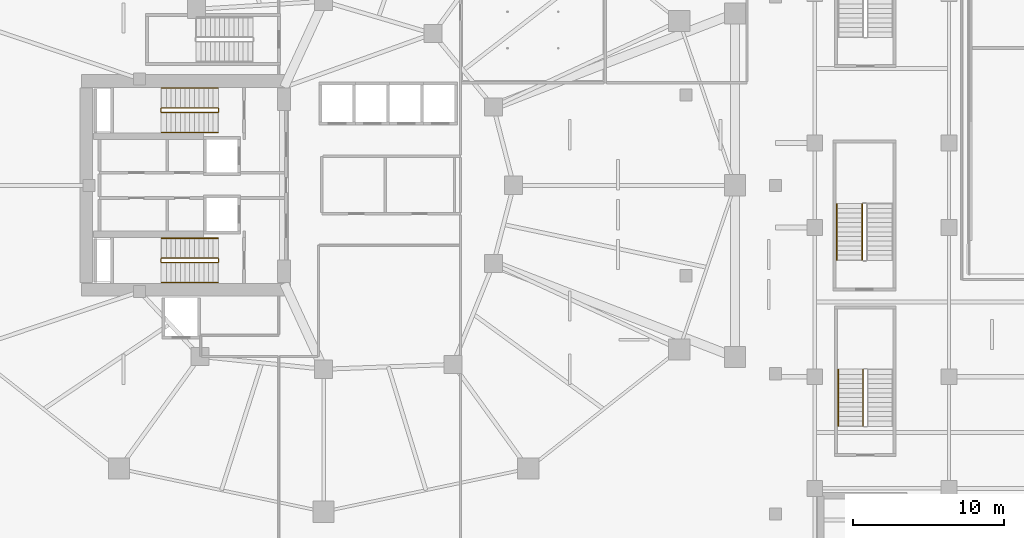
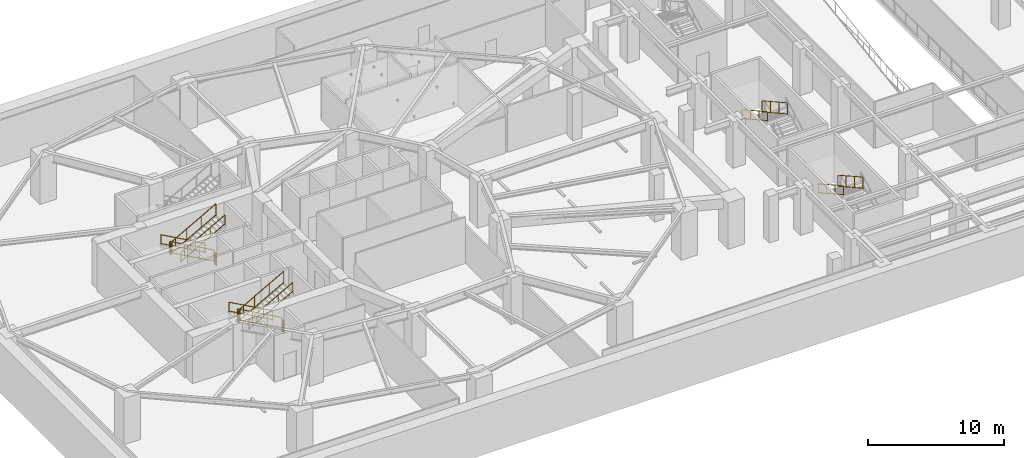
# One storey, part 13 of 16: 16 railings.
"""IFC4 building model written with IfcOpenShell, lengths in metres."""

from ifc_helpers import new_model, si_unit, direction, frame, origin, origin_2d, place, context, subcontext, project, spatial, rectangle, extrude, material, type_object, element, save


model = new_model("IFC4")

# Units and contexts
model_context = context("Model", 3, precision=1e-05, world=origin(), true_north=direction((0.0, 1.0)))
body_context = subcontext(model_context, "Body", "Model", "MODEL_VIEW")
ifc_project = project(units=[si_unit("LENGTHUNIT", "METRE"), si_unit("AREAUNIT", "SQUARE_METRE"), si_unit("VOLUMEUNIT", "CUBIC_METRE"), si_unit("PLANEANGLEUNIT", "RADIAN"), si_unit("MASSUNIT", "GRAM", prefix="KILO")], contexts=[model_context])

# Site, building, storey
site_placement = place(None, origin())
site = spatial("IfcSite", under=ifc_project, at=site_placement, CompositionType="ELEMENT")
building_placement = place(site_placement, origin())
building = spatial("IfcBuilding", under=site, at=building_placement, Name="Kolvaren Gate Tower and Convention Centre", CompositionType="ELEMENT")
storey_placement = place(building_placement, frame((0.0, 0.0, -4.5)))
storey = spatial("IfcBuildingStorey", under=building, at=storey_placement, Name="B1", CompositionType="ELEMENT", Elevation=-4.5)

# Railings
ifc_material = material(Name="Brushed Stainless Steel Grade 316L", Category="steel")
railing_type_1 = type_object("IfcRailingType", Name="ARCH-RL-GUARD-1150", PredefinedType="GUARDRAIL", material=ifc_material)
railing_1_placement = place(storey_placement, frame((23.10009765625, 32.1298828125, 0.173095703125)))
element("IfcRailing", 1, at=railing_1_placement, inside=storey, type_object=railing_type_1, Name="B1 ST-T1 stair guard 1", PredefinedType="GUARDRAIL", context=body_context, shape_type="SweptSolid", body=[
    extrude(rectangle(XDim=0.048095703125, YDim=0.048095703125, at=origin_2d()), frame((0.0, 0.0, 1.076171875), z_axis=(-0.873147225507, 0.0, 0.487456585338), x_axis=(0.0, -1.0, 0.0)), (0.0, 0.0, 1.0), 4.2607421875),
    extrude(rectangle(XDim=0.048095703125, YDim=0.048095703125, at=origin_2d()), frame((0.0, 0.0, 0.083984375), z_axis=(-0.873147225507, 0.0, 0.487456585338), x_axis=(0.0, -1.0, 0.0)), (0.0, 0.0, 1.0), 4.2607421875),
    extrude(rectangle(XDim=0.0419921875, YDim=0.0419921875, at=origin_2d()), origin(), (0.0, 0.0, 1.0), 1.050048828125),
    extrude(rectangle(XDim=0.0419921875, YDim=0.0419921875, at=origin_2d()), frame((-3.72021484375, 0.0, 2.076904296875)), (0.0, 0.0, 1.0), 1.050048828125),
    extrude(rectangle(XDim=0.0419921875, YDim=0.0419921875, at=origin_2d()), frame((-1.239990234375, 0.0, 0.6923828125)), (0.0, 0.0, 1.0), 1.050048828125),
    extrude(rectangle(XDim=0.0419921875, YDim=0.0419921875, at=origin_2d()), frame((-2.480224609375, 0.0, 1.384521484375)), (0.0, 0.0, 1.0), 1.050048828125),
])
railing_2_placement = place(storey_placement, frame((19.330078125, 32.080078125, 2.25)))
element("IfcRailing", 2, at=railing_2_placement, inside=storey, type_object=railing_type_1, Name="B1 ST-T1 stair guard 2", PredefinedType="GUARDRAIL", context=body_context, shape_type="SweptSolid", body=[
    extrude(rectangle(XDim=0.048095703125, YDim=0.048095703125, at=origin_2d()), frame((0.0, 0.0, 1.076171875), z_axis=(0.0, -1.0, 0.0), x_axis=(1.0, 0.0, 0.0)), (0.0, 0.0, 1.0), 0.2001953125),
    extrude(rectangle(XDim=0.048095703125, YDim=0.048095703125, at=origin_2d()), frame((0.0, 0.0, 0.083984375), z_axis=(0.0, -1.0, 0.0), x_axis=(1.0, 0.0, 0.0)), (0.0, 0.0, 1.0), 0.2001953125),
    extrude(rectangle(XDim=0.0419921875, YDim=0.0419921875, at=origin_2d()), origin(), (0.0, 0.0, 1.0), 1.050048828125),
    extrude(rectangle(XDim=0.0419921875, YDim=0.0419921875, at=origin_2d()), frame((0.0, -0.2001953125, 0.0)), (0.0, 0.0, 1.0), 1.050048828125),
])
railing_3_placement = place(storey_placement, frame((19.3798828125, 31.830078125, 2.423095703125)))
element("IfcRailing", 3, at=railing_3_placement, inside=storey, type_object=railing_type_1, Name="B1 ST-T1 stair guard 3", PredefinedType="GUARDRAIL", context=body_context, shape_type="SweptSolid", body=[
    extrude(rectangle(XDim=0.048095703125, YDim=0.048095703125, at=origin_2d()), frame((0.0, 0.0, 1.076171875), z_axis=(0.873147225507, 0.0, 0.487456585338), x_axis=(0.0, 1.0, 0.0)), (0.0, 0.0, 1.0), 4.2607421875),
    extrude(rectangle(XDim=0.048095703125, YDim=0.048095703125, at=origin_2d()), frame((0.0, 0.0, 0.083984375), z_axis=(0.873147225507, 0.0, 0.487456585338), x_axis=(0.0, 1.0, 0.0)), (0.0, 0.0, 1.0), 4.2607421875),
    extrude(rectangle(XDim=0.0419921875, YDim=0.0419921875, at=origin_2d()), origin(), (0.0, 0.0, 1.0), 1.050048828125),
    extrude(rectangle(XDim=0.0419921875, YDim=0.0419921875, at=origin_2d()), frame((3.72021484375, 0.0, 2.076904296875)), (0.0, 0.0, 1.0), 1.050048828125),
    extrude(rectangle(XDim=0.0419921875, YDim=0.0419921875, at=origin_2d()), frame((1.239990234375, 0.0, 0.6923828125)), (0.0, 0.0, 1.0), 1.050048828125),
    extrude(rectangle(XDim=0.0419921875, YDim=0.0419921875, at=origin_2d()), frame((2.480224609375, 0.0, 1.384521484375)), (0.0, 0.0, 1.0), 1.050048828125),
])
railing_4_placement = place(storey_placement, frame((23.14990234375, 32.080078125, 0.0)))
element("IfcRailing", 4, at=railing_4_placement, inside=storey, type_object=railing_type_1, Name="B1 ST-T1 stair guard 4", PredefinedType="GUARDRAIL", context=body_context, shape_type="SweptSolid", body=[
    extrude(rectangle(XDim=0.048095703125, YDim=0.048095703125, at=origin_2d()), frame((0.0, 0.0, 1.076171875), z_axis=(0.0, -1.0, 0.0), x_axis=(1.0, 0.0, 0.0)), (0.0, 0.0, 1.0), 0.2001953125),
    extrude(rectangle(XDim=0.048095703125, YDim=0.048095703125, at=origin_2d()), frame((0.0, 0.0, 0.083984375), z_axis=(0.0, -1.0, 0.0), x_axis=(1.0, 0.0, 0.0)), (0.0, 0.0, 1.0), 0.2001953125),
    extrude(rectangle(XDim=0.0419921875, YDim=0.0419921875, at=origin_2d()), origin(), (0.0, 0.0, 1.0), 1.050048828125),
    extrude(rectangle(XDim=0.0419921875, YDim=0.0419921875, at=origin_2d()), frame((0.0, -0.2001953125, 0.0)), (0.0, 0.0, 1.0), 1.050048828125),
])
railing_5_placement = place(storey_placement, frame((23.10009765625, 22.169921875, 0.173095703125)))
element("IfcRailing", 5, at=railing_5_placement, inside=storey, type_object=railing_type_1, Name="B1 ST-T2 stair guard 1", PredefinedType="GUARDRAIL", context=body_context, shape_type="SweptSolid", body=[
    extrude(rectangle(XDim=0.048095703125, YDim=0.048095703125, at=origin_2d()), frame((0.0, 0.0, 1.076171875), z_axis=(-0.873147225507, 0.0, 0.487456585338), x_axis=(0.0, -1.0, 0.0)), (0.0, 0.0, 1.0), 4.2607421875),
    extrude(rectangle(XDim=0.048095703125, YDim=0.048095703125, at=origin_2d()), frame((0.0, 0.0, 0.083984375), z_axis=(-0.873147225507, 0.0, 0.487456585338), x_axis=(0.0, -1.0, 0.0)), (0.0, 0.0, 1.0), 4.2607421875),
    extrude(rectangle(XDim=0.0419921875, YDim=0.0419921875, at=origin_2d()), origin(), (0.0, 0.0, 1.0), 1.050048828125),
    extrude(rectangle(XDim=0.0419921875, YDim=0.0419921875, at=origin_2d()), frame((-3.72021484375, 0.0, 2.076904296875)), (0.0, 0.0, 1.0), 1.050048828125),
    extrude(rectangle(XDim=0.0419921875, YDim=0.0419921875, at=origin_2d()), frame((-1.239990234375, 0.0, 0.6923828125)), (0.0, 0.0, 1.0), 1.050048828125),
    extrude(rectangle(XDim=0.0419921875, YDim=0.0419921875, at=origin_2d()), frame((-2.480224609375, 0.0, 1.384521484375)), (0.0, 0.0, 1.0), 1.050048828125),
])
railing_6_placement = place(storey_placement, frame((19.330078125, 22.1201171875, 2.25)))
element("IfcRailing", 6, at=railing_6_placement, inside=storey, type_object=railing_type_1, Name="B1 ST-T2 stair guard 2", PredefinedType="GUARDRAIL", context=body_context, shape_type="SweptSolid", body=[
    extrude(rectangle(XDim=0.048095703125, YDim=0.048095703125, at=origin_2d()), frame((0.0, 0.0, 1.076171875), z_axis=(0.0, -1.0, 0.0), x_axis=(1.0, 0.0, 0.0)), (0.0, 0.0, 1.0), 0.2001953125),
    extrude(rectangle(XDim=0.048095703125, YDim=0.048095703125, at=origin_2d()), frame((0.0, 0.0, 0.083984375), z_axis=(0.0, -1.0, 0.0), x_axis=(1.0, 0.0, 0.0)), (0.0, 0.0, 1.0), 0.2001953125),
    extrude(rectangle(XDim=0.0419921875, YDim=0.0419921875, at=origin_2d()), origin(), (0.0, 0.0, 1.0), 1.050048828125),
    extrude(rectangle(XDim=0.0419921875, YDim=0.0419921875, at=origin_2d()), frame((0.0, -0.2001953125, 0.0)), (0.0, 0.0, 1.0), 1.050048828125),
])
railing_7_placement = place(storey_placement, frame((19.3798828125, 21.8701171875, 2.423095703125)))
element("IfcRailing", 7, at=railing_7_placement, inside=storey, type_object=railing_type_1, Name="B1 ST-T2 stair guard 3", PredefinedType="GUARDRAIL", context=body_context, shape_type="SweptSolid", body=[
    extrude(rectangle(XDim=0.048095703125, YDim=0.048095703125, at=origin_2d()), frame((0.0, 0.0, 1.076171875), z_axis=(0.873147225507, 0.0, 0.487456585338), x_axis=(0.0, 1.0, 0.0)), (0.0, 0.0, 1.0), 4.2607421875),
    extrude(rectangle(XDim=0.048095703125, YDim=0.048095703125, at=origin_2d()), frame((0.0, 0.0, 0.083984375), z_axis=(0.873147225507, 0.0, 0.487456585338), x_axis=(0.0, 1.0, 0.0)), (0.0, 0.0, 1.0), 4.2607421875),
    extrude(rectangle(XDim=0.0419921875, YDim=0.0419921875, at=origin_2d()), origin(), (0.0, 0.0, 1.0), 1.050048828125),
    extrude(rectangle(XDim=0.0419921875, YDim=0.0419921875, at=origin_2d()), frame((3.72021484375, 0.0, 2.076904296875)), (0.0, 0.0, 1.0), 1.050048828125),
    extrude(rectangle(XDim=0.0419921875, YDim=0.0419921875, at=origin_2d()), frame((1.239990234375, 0.0, 0.6923828125)), (0.0, 0.0, 1.0), 1.050048828125),
    extrude(rectangle(XDim=0.0419921875, YDim=0.0419921875, at=origin_2d()), frame((2.480224609375, 0.0, 1.384521484375)), (0.0, 0.0, 1.0), 1.050048828125),
])
railing_8_placement = place(storey_placement, frame((23.14990234375, 22.1201171875, 0.0)))
element("IfcRailing", 8, at=railing_8_placement, inside=storey, type_object=railing_type_1, Name="B1 ST-T2 stair guard 4", PredefinedType="GUARDRAIL", context=body_context, shape_type="SweptSolid", body=[
    extrude(rectangle(XDim=0.048095703125, YDim=0.048095703125, at=origin_2d()), frame((0.0, 0.0, 1.076171875), z_axis=(0.0, -1.0, 0.0), x_axis=(1.0, 0.0, 0.0)), (0.0, 0.0, 1.0), 0.2001953125),
    extrude(rectangle(XDim=0.048095703125, YDim=0.048095703125, at=origin_2d()), frame((0.0, 0.0, 0.083984375), z_axis=(0.0, -1.0, 0.0), x_axis=(1.0, 0.0, 0.0)), (0.0, 0.0, 1.0), 0.2001953125),
    extrude(rectangle(XDim=0.0419921875, YDim=0.0419921875, at=origin_2d()), origin(), (0.0, 0.0, 1.0), 1.050048828125),
    extrude(rectangle(XDim=0.0419921875, YDim=0.0419921875, at=origin_2d()), frame((0.0, -0.2001953125, 0.0)), (0.0, 0.0, 1.0), 1.050048828125),
])
for number, where, name in (
    (9, (65.89990234375, 14.77001953125, 2.423095703125), "B1 ST-C2 stair guard 3"),
    (10, (65.85009765625, 25.77001953125, 2.423095703125), "B1 ST-C5 stair guard 3"),
):
    element("IfcRailing", number, at=place(storey_placement, frame(where)), inside=storey, type_object=railing_type_1, Name=name, PredefinedType="GUARDRAIL", context=body_context, shape_type="SweptSolid", body=[
        extrude(rectangle(XDim=0.048095703125, YDim=0.048095703125, at=origin_2d()), frame((0.0, 0.0, 1.076171875), z_axis=(0.0, -0.873133609054, 0.487480974747), x_axis=(1.0, 0.0, 0.0)), (0.0, 0.0, 1.0), 4.260498046875),
        extrude(rectangle(XDim=0.048095703125, YDim=0.048095703125, at=origin_2d()), frame((0.0, 0.0, 0.083984375), z_axis=(0.0, -0.873133609054, 0.487480974747), x_axis=(1.0, 0.0, 0.0)), (0.0, 0.0, 1.0), 4.260498046875),
        extrude(rectangle(XDim=0.0419921875, YDim=0.0419921875, at=origin_2d()), origin(), (0.0, 0.0, 1.0), 1.050048828125),
        extrude(rectangle(XDim=0.0419921875, YDim=0.0419921875, at=origin_2d()), frame((0.0, -3.719970703125, 2.076904296875)), (0.0, 0.0, 1.0), 1.050048828125),
        extrude(rectangle(XDim=0.0419921875, YDim=0.0419921875, at=origin_2d()), frame((0.0, -1.239990234375, 0.6923828125)), (0.0, 0.0, 1.0), 1.050048828125),
        extrude(rectangle(XDim=0.0419921875, YDim=0.0419921875, at=origin_2d()), frame((0.0, -2.47998046875, 1.384521484375)), (0.0, 0.0, 1.0), 1.050048828125),
    ])
railing_type_2 = type_object("IfcRailingType", Name="ARCH-RL-HANDRAIL-920", PredefinedType="HANDRAIL", material=ifc_material)
railing_9_placement = place(storey_placement, frame((23.10009765625, 33.449951171875, 0.173095703125)))
element("IfcRailing", 11, at=railing_9_placement, inside=storey, type_object=railing_type_2, Name="B1 ST-T1 stair handrail 1", PredefinedType="HANDRAIL", context=body_context, shape_type="SweptSolid", body=[
    extrude(rectangle(XDim=0.048095703125, YDim=0.048095703125, at=origin_2d()), frame((0.0, 0.0, 0.8759765625), z_axis=(-0.873147225507, 0.0, 0.487456585338), x_axis=(0.0, -1.0, 0.0)), (0.0, 0.0, 1.0), 4.2607421875),
    extrude(rectangle(XDim=0.048095703125, YDim=0.048095703125, at=origin_2d()), frame((0.0, 0.0, 0.083984375), z_axis=(-0.873147225507, 0.0, 0.487456585338), x_axis=(0.0, -1.0, 0.0)), (0.0, 0.0, 1.0), 4.2607421875),
    extrude(rectangle(XDim=0.0419921875, YDim=0.0419921875, at=origin_2d()), origin(), (0.0, 0.0, 1.0), 0.849853515625),
    extrude(rectangle(XDim=0.0419921875, YDim=0.0419921875, at=origin_2d()), frame((-3.72021484375, 0.0, 2.076904296875)), (0.0, 0.0, 1.0), 0.849853515625),
    extrude(rectangle(XDim=0.0419921875, YDim=0.0419921875, at=origin_2d()), frame((-1.239990234375, 0.0, 0.6923828125)), (0.0, 0.0, 1.0), 0.849853515625),
    extrude(rectangle(XDim=0.0419921875, YDim=0.0419921875, at=origin_2d()), frame((-2.480224609375, 0.0, 1.384521484375)), (0.0, 0.0, 1.0), 0.849853515625),
])
railing_10_placement = place(storey_placement, frame((19.3798828125, 30.510009765625, 2.423095703125)))
element("IfcRailing", 12, at=railing_10_placement, inside=storey, type_object=railing_type_2, Name="B1 ST-T1 stair handrail 2", PredefinedType="HANDRAIL", context=body_context, shape_type="SweptSolid", body=[
    extrude(rectangle(XDim=0.048095703125, YDim=0.048095703125, at=origin_2d()), frame((0.0, 0.0, 0.8759765625), z_axis=(0.873147225507, 0.0, 0.487456585338), x_axis=(0.0, 1.0, 0.0)), (0.0, 0.0, 1.0), 4.2607421875),
    extrude(rectangle(XDim=0.048095703125, YDim=0.048095703125, at=origin_2d()), frame((0.0, 0.0, 0.083984375), z_axis=(0.873147225507, 0.0, 0.487456585338), x_axis=(0.0, 1.0, 0.0)), (0.0, 0.0, 1.0), 4.2607421875),
    extrude(rectangle(XDim=0.0419921875, YDim=0.0419921875, at=origin_2d()), origin(), (0.0, 0.0, 1.0), 0.849853515625),
    extrude(rectangle(XDim=0.0419921875, YDim=0.0419921875, at=origin_2d()), frame((3.72021484375, 0.0, 2.076904296875)), (0.0, 0.0, 1.0), 0.849853515625),
    extrude(rectangle(XDim=0.0419921875, YDim=0.0419921875, at=origin_2d()), frame((1.239990234375, 0.0, 0.6923828125)), (0.0, 0.0, 1.0), 0.849853515625),
    extrude(rectangle(XDim=0.0419921875, YDim=0.0419921875, at=origin_2d()), frame((2.480224609375, 0.0, 1.384521484375)), (0.0, 0.0, 1.0), 0.849853515625),
])
railing_11_placement = place(storey_placement, frame((23.10009765625, 23.489990234375, 0.173095703125)))
element("IfcRailing", 13, at=railing_11_placement, inside=storey, type_object=railing_type_2, Name="B1 ST-T2 stair handrail 1", PredefinedType="HANDRAIL", context=body_context, shape_type="SweptSolid", body=[
    extrude(rectangle(XDim=0.048095703125, YDim=0.048095703125, at=origin_2d()), frame((0.0, 0.0, 0.8759765625), z_axis=(-0.873147225507, 0.0, 0.487456585338), x_axis=(0.0, -1.0, 0.0)), (0.0, 0.0, 1.0), 4.2607421875),
    extrude(rectangle(XDim=0.048095703125, YDim=0.048095703125, at=origin_2d()), frame((0.0, 0.0, 0.083984375), z_axis=(-0.873147225507, 0.0, 0.487456585338), x_axis=(0.0, -1.0, 0.0)), (0.0, 0.0, 1.0), 4.2607421875),
    extrude(rectangle(XDim=0.0419921875, YDim=0.0419921875, at=origin_2d()), origin(), (0.0, 0.0, 1.0), 0.849853515625),
    extrude(rectangle(XDim=0.0419921875, YDim=0.0419921875, at=origin_2d()), frame((-3.72021484375, 0.0, 2.076904296875)), (0.0, 0.0, 1.0), 0.849853515625),
    extrude(rectangle(XDim=0.0419921875, YDim=0.0419921875, at=origin_2d()), frame((-1.239990234375, 0.0, 0.6923828125)), (0.0, 0.0, 1.0), 0.849853515625),
    extrude(rectangle(XDim=0.0419921875, YDim=0.0419921875, at=origin_2d()), frame((-2.480224609375, 0.0, 1.384521484375)), (0.0, 0.0, 1.0), 0.849853515625),
])
railing_12_placement = place(storey_placement, frame((19.3798828125, 20.550048828125, 2.423095703125)))
element("IfcRailing", 14, at=railing_12_placement, inside=storey, type_object=railing_type_2, Name="B1 ST-T2 stair handrail 2", PredefinedType="HANDRAIL", context=body_context, shape_type="SweptSolid", body=[
    extrude(rectangle(XDim=0.048095703125, YDim=0.048095703125, at=origin_2d()), frame((0.0, 0.0, 0.8759765625), z_axis=(0.873147225507, 0.0, 0.487456585338), x_axis=(0.0, 1.0, 0.0)), (0.0, 0.0, 1.0), 4.2607421875),
    extrude(rectangle(XDim=0.048095703125, YDim=0.048095703125, at=origin_2d()), frame((0.0, 0.0, 0.083984375), z_axis=(0.873147225507, 0.0, 0.487456585338), x_axis=(0.0, 1.0, 0.0)), (0.0, 0.0, 1.0), 4.2607421875),
    extrude(rectangle(XDim=0.0419921875, YDim=0.0419921875, at=origin_2d()), origin(), (0.0, 0.0, 1.0), 0.849853515625),
    extrude(rectangle(XDim=0.0419921875, YDim=0.0419921875, at=origin_2d()), frame((3.72021484375, 0.0, 2.076904296875)), (0.0, 0.0, 1.0), 0.849853515625),
    extrude(rectangle(XDim=0.0419921875, YDim=0.0419921875, at=origin_2d()), frame((1.239990234375, 0.0, 0.6923828125)), (0.0, 0.0, 1.0), 0.849853515625),
    extrude(rectangle(XDim=0.0419921875, YDim=0.0419921875, at=origin_2d()), frame((2.480224609375, 0.0, 1.384521484375)), (0.0, 0.0, 1.0), 0.849853515625),
])
for number, where, name in (
    (15, (64.25, 14.77001953125, 2.423095703125), "B1 ST-C2 stair handrail 2"),
    (16, (64.14990234375, 25.77001953125, 2.423095703125), "B1 ST-C5 stair handrail 2"),
):
    element("IfcRailing", number, at=place(storey_placement, frame(where)), inside=storey, type_object=railing_type_2, Name=name, PredefinedType="HANDRAIL", context=body_context, shape_type="SweptSolid", body=[
        extrude(rectangle(XDim=0.048095703125, YDim=0.048095703125, at=origin_2d()), frame((0.0, 0.0, 0.8759765625), z_axis=(0.0, -0.873133609054, 0.487480974747), x_axis=(1.0, 0.0, 0.0)), (0.0, 0.0, 1.0), 4.260498046875),
        extrude(rectangle(XDim=0.048095703125, YDim=0.048095703125, at=origin_2d()), frame((0.0, 0.0, 0.083984375), z_axis=(0.0, -0.873133609054, 0.487480974747), x_axis=(1.0, 0.0, 0.0)), (0.0, 0.0, 1.0), 4.260498046875),
        extrude(rectangle(XDim=0.0419921875, YDim=0.0419921875, at=origin_2d()), origin(), (0.0, 0.0, 1.0), 0.849853515625),
        extrude(rectangle(XDim=0.0419921875, YDim=0.0419921875, at=origin_2d()), frame((0.0, -3.719970703125, 2.076904296875)), (0.0, 0.0, 1.0), 0.849853515625),
        extrude(rectangle(XDim=0.0419921875, YDim=0.0419921875, at=origin_2d()), frame((0.0, -1.239990234375, 0.6923828125)), (0.0, 0.0, 1.0), 0.849853515625),
        extrude(rectangle(XDim=0.0419921875, YDim=0.0419921875, at=origin_2d()), frame((0.0, -2.47998046875, 1.384521484375)), (0.0, 0.0, 1.0), 0.849853515625),
    ])

save(model, "model.ifc")
